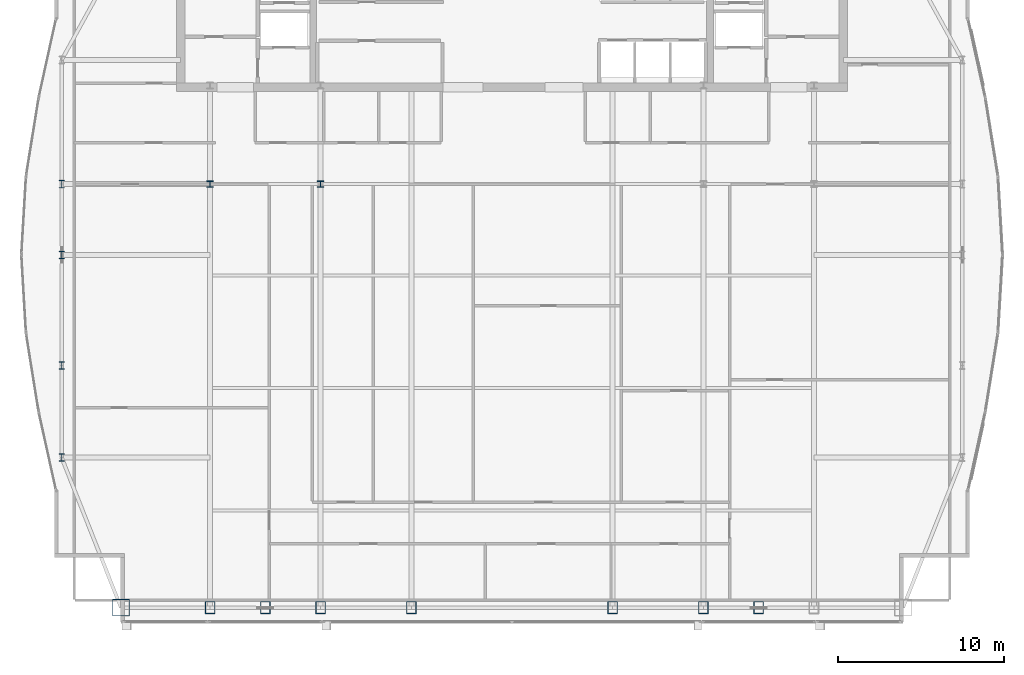
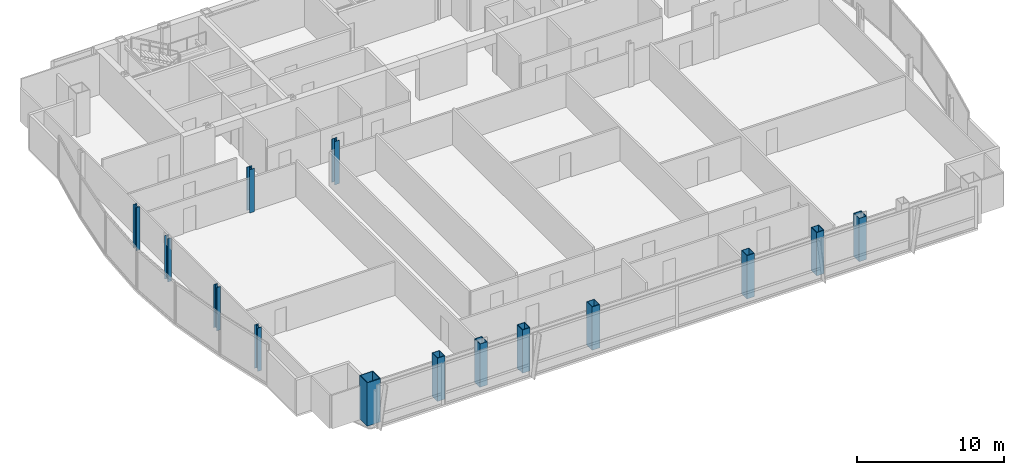
# One storey, part 1 of 30: 14 columns.
"""IFC4 building model written with IfcOpenShell, lengths in metres."""

from ifc_helpers import new_model, si_unit, direction, frame, origin, origin_2d, place, context, subcontext, project, spatial, hollow_rectangle, i_section, extrude, material, material_profile, profile_set, type_object, element, save


model = new_model("IFC4")

# Units and contexts
model_context = context("Model", 3, precision=1e-05, world=origin(), true_north=direction((0.0, 1.0)))
body_context = subcontext(model_context, "Body", "Model", "MODEL_VIEW")
ifc_project = project(units=[si_unit("LENGTHUNIT", "METRE"), si_unit("AREAUNIT", "SQUARE_METRE"), si_unit("VOLUMEUNIT", "CUBIC_METRE"), si_unit("PLANEANGLEUNIT", "RADIAN"), si_unit("MASSUNIT", "GRAM", prefix="KILO")], contexts=[model_context])

# Site, building, storey
site_placement = place(None, origin())
site = spatial("IfcSite", under=ifc_project, at=site_placement, CompositionType="ELEMENT")
building_placement = place(site_placement, origin())
building = spatial("IfcBuilding", under=site, at=building_placement, Name="Khoronbel Lancet Exchange", CompositionType="ELEMENT")
storey_placement = place(building_placement, frame((0.0, 0.0, 269.800048828125)))
storey = spatial("IfcBuildingStorey", under=building, at=storey_placement, Name="L69", CompositionType="ELEMENT", Elevation=269.800048828125)

# Columns
ifc_material_1 = material(Name="Steel S460", Category="steel")
ifc_material_profile_1 = material_profile(ifc_material_1, hollow_rectangle(XDim=0.60009765625, YDim=0.75, WallThickness=0.044921875, at=origin_2d()), Name="BOX 750x600x45")
ifc_profile_set_1 = profile_set([ifc_material_profile_1], Name="Steel S460")
column_type_1 = type_object("IfcColumnType", Name="COL-EC3", PredefinedType="COLUMN", material=ifc_profile_set_1)
for number, where, z_axis, x_axis, name in (
    (1, (18.22509765625, 10.14990234375, 0.0), (0.0, 0.0, 1.0), (1.0, 0.0, 0.0), "Structural column SC-W1 L69"),
    (2, (21.5625, 10.14990234375, 0.0), (0.0, 0.0, 1.0), (1.0, 0.0, 0.0), "Structural column SC-WM L69"),
    (3, (24.89990234375, 10.14990234375, 0.0), (0.0, 0.0, 1.0), (1.0, 0.0, 0.0), "Structural column SC-W2 L69"),
    (4, (30.375, 10.14990234375, 0.0), (0.0, 0.0, 1.0), (1.0, 0.0, 0.0), "Structural column SC-C1 L69"),
    (5, (42.52490234375, 10.14990234375, 0.0), (0.0, 0.0, 1.0), (1.0, 0.0, 0.0), "Structural column SC-C2 L69"),
    (6, (48.0, 10.14990234375, 0.0), (0.0, 0.0, 1.0), (1.0, 0.0, 0.0), "Structural column SC-E1 L69"),
    (7, (51.33740234375, 10.14990234375, 0.0), (0.0, 0.0, 1.0), (1.0, 0.0, 0.0), "Structural column SC-EM L69"),
):
    element("IfcColumn", number, at=place(storey_placement, frame(where, z_axis=z_axis, x_axis=x_axis)), inside=storey, type_object=column_type_1, Name=name, PredefinedType="COLUMN", context=body_context, shape_type="SweptSolid", body=[
        extrude(hollow_rectangle(XDim=0.60009765625, YDim=0.75, WallThickness=0.044921875, at=origin_2d()), origin(), (0.0, 0.0, 1.0), 3.599853515625),
    ])
ifc_material_2 = material(Name="Steel S355", Category="steel")
ifc_material_profile_2 = material_profile(ifc_material_2, i_section(OverallWidth=0.39892578125, OverallDepth=0.39306640625, WebThickness=0.022705078125, FlangeThickness=0.03662109375, at=origin_2d()), Name="HD 400x287")
ifc_profile_set_2 = profile_set([ifc_material_profile_2], Name="Steel S355")
column_type_2 = type_object("IfcColumnType", Name="COL-IC4", PredefinedType="COLUMN", material=ifc_profile_set_2)
for number, where, z_axis, x_axis, name in (
    (8, (18.22509765625, 35.699951171875, 0.0), (0.0, 0.0, 1.0), (1.0, 0.0, 0.0), "Spine gravity column TC1 L69"),
    (9, (24.89990234375, 35.699951171875, 0.0), (0.0, 0.0, 1.0), (1.0, 0.0, 0.0), "Spine gravity column TC2 L69"),
):
    element("IfcColumn", number, at=place(storey_placement, frame(where, z_axis=z_axis, x_axis=x_axis)), inside=storey, type_object=column_type_2, Name=name, PredefinedType="COLUMN", context=body_context, shape_type="SweptSolid", body=[
        extrude(i_section(OverallWidth=0.39892578125, OverallDepth=0.39306640625, WebThickness=0.022705078125, FlangeThickness=0.03662109375, at=origin_2d()), origin(), (0.0, 0.0, 1.0), 3.599853515625),
    ])
ifc_material_profile_3 = material_profile(ifc_material_2, i_section(OverallWidth=0.300048828125, OverallDepth=0.449951171875, WebThickness=0.013916015625, FlangeThickness=0.02587890625, at=origin_2d()), Name="HEB 450")
ifc_profile_set_3 = profile_set([ifc_material_profile_3], Name="Steel S355")
column_type_3 = type_object("IfcColumnType", Name="COL-LC2", PredefinedType="COLUMN", material=ifc_profile_set_3)
for number, where, z_axis, x_axis, name in (
    (10, (9.27001953125, 19.199951171875, 0.0), (0.0, 0.0, 1.0), (1.0, 0.0, 0.0), "Structural column WC-1 L69"),
    (11, (9.27001953125, 24.75, 0.0), (0.0, 0.0, 1.0), (1.0, 0.0, 0.0), "Structural column WC-2 L69"),
    (12, (9.27001953125, 31.425048828125, 0.0), (0.0, 0.0, 1.0), (1.0, 0.0, 0.0), "Structural column WC-M L69"),
    (13, (9.27001953125, 35.699951171875, 0.0), (0.0, 0.0, 1.0), (1.0, 0.0, 0.0), "Structural column WC-3 L69"),
):
    element("IfcColumn", number, at=place(storey_placement, frame(where, z_axis=z_axis, x_axis=x_axis)), inside=storey, type_object=column_type_3, Name=name, PredefinedType="COLUMN", context=body_context, shape_type="SweptSolid", body=[
        extrude(i_section(OverallWidth=0.300048828125, OverallDepth=0.449951171875, WebThickness=0.013916015625, FlangeThickness=0.02587890625, at=origin_2d()), origin(), (0.0, 0.0, 1.0), 3.599853515625),
    ])
ifc_material_profile_4 = material_profile(ifc_material_1, hollow_rectangle(XDim=1.050048828125, YDim=1.050048828125, WallThickness=0.054931640625, at=origin_2d()), Name="BOX 1050x1050x55")
ifc_profile_set_4 = profile_set([ifc_material_profile_4], Name="Steel S460")
column_type_4 = type_object("IfcColumnType", Name="COL-MC6", PredefinedType="COLUMN", material=ifc_profile_set_4)
column_placement = place(storey_placement, frame((12.85009765625, 10.14990234375, 0.0), z_axis=(0.0, 0.0, 1.0), x_axis=(1.0, 0.0, 0.0)))
element("IfcColumn", 14, at=column_placement, inside=storey, type_object=column_type_4, Name="Structural column MC-SW L69", PredefinedType="COLUMN", context=body_context, shape_type="SweptSolid", body=[
    extrude(hollow_rectangle(XDim=1.050048828125, YDim=1.050048828125, WallThickness=0.054931640625, at=origin_2d()), origin(), (0.0, 0.0, 1.0), 3.599853515625),
])

save(model, "model.ifc")
